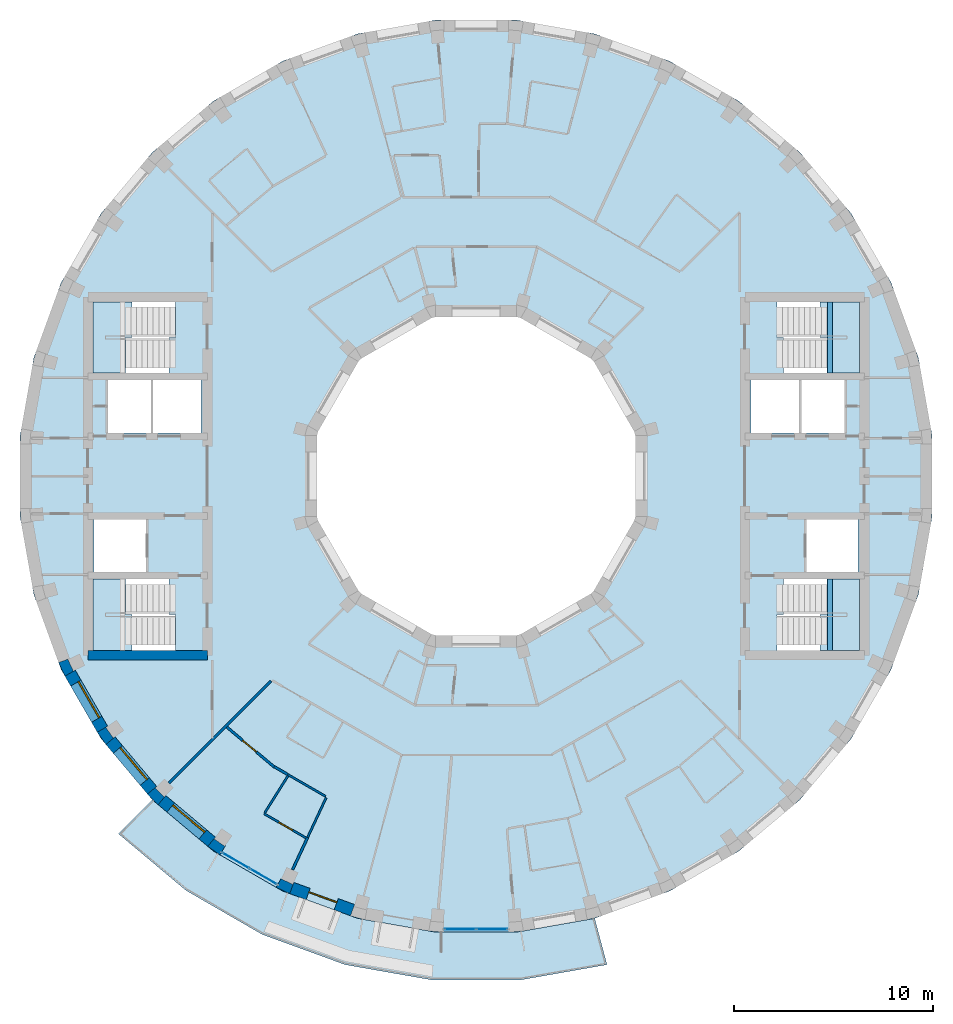
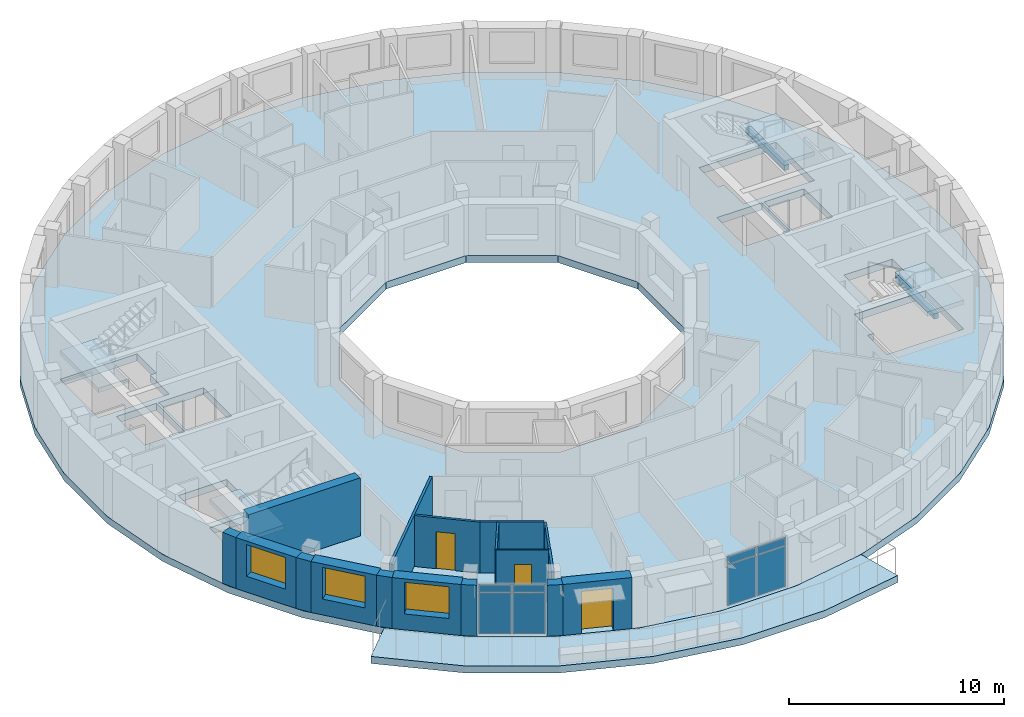
# One storey, part 3 of 12: 18 walls, 8 plates, 6 slabs, 3 doors, 3 windows, 2 beams, 6 openings, 6 elements without a shape of their own.
"""IFC4 building model written with IfcOpenShell, lengths in metres."""

from ifc_helpers import new_model, si_unit, direction, frame, frame_2d, origin, origin_2d, place, context, subcontext, project, spatial, polyline, rectangle, outline, extrude, material, layer, layer_set, material_profile, profile_set, type_object, element, fill, aggregate, save


model = new_model("IFC4")

# Units and contexts
model_context = context("Model", 3, precision=1e-05, world=origin(), true_north=direction((0.0, 1.0)))
body_context = subcontext(model_context, "Body", "Model", "MODEL_VIEW")
ifc_project = project(units=[si_unit("LENGTHUNIT", "METRE"), si_unit("AREAUNIT", "SQUARE_METRE"), si_unit("VOLUMEUNIT", "CUBIC_METRE"), si_unit("PLANEANGLEUNIT", "RADIAN"), si_unit("MASSUNIT", "GRAM", prefix="KILO")], contexts=[model_context])

# Site, building, storey
site_placement = place(None, origin())
site = spatial("IfcSite", under=ifc_project, at=site_placement, CompositionType="ELEMENT")
building_placement = place(site_placement, origin())
building = spatial("IfcBuilding", under=site, at=building_placement, Name="Saqina Gate Tower", CompositionType="ELEMENT")
storey_placement = place(building_placement, frame((0.0, 0.0, 269.300048828125)))
storey = spatial("IfcBuildingStorey", under=building, at=storey_placement, Name="L77", CompositionType="ELEMENT", Elevation=269.300048828125)

# Beams
ifc_material_1 = material(Name="Concrete C40/50", Category="concrete")
ifc_material_profile = material_profile(ifc_material_1, rectangle(XDim=0.25, YDim=0.300048828125, at=origin_2d()), Name="STAIR LANDING BEAM")
ifc_profile_set = profile_set([ifc_material_profile], Name="Concrete C40/50")
beam_type = type_object("IfcBeamType", Name="STAIR LANDING BEAM", PredefinedType="BEAM", material=ifc_profile_set)
for number, where, z_axis, x_axis, name in (
    (1, (17.77001953125, 5.175048828125, 1.25), (0.0, 1.0, 0.0), (-1.0, 0.0, 0.0), "EXIT STAIR 1 LANDING BEAM"),
    (2, (17.77001953125, -8.75, 1.25), (0.0, 1.0, 0.0), (-1.0, 0.0, 0.0), "EXIT STAIR 2 LANDING BEAM"),
):
    element("IfcBeam", number, at=place(storey_placement, frame(where, z_axis=z_axis, x_axis=x_axis)), inside=storey, type_object=beam_type, Name=name, PredefinedType="BEAM", context=body_context, shape_type="SweptSolid", body=[
        extrude(rectangle(XDim=0.25, YDim=0.300048828125, at=origin_2d()), origin(), (0.0, 0.0, 1.0), 3.574951171875),
    ])

# Curtain wall, plates
ifc_material_2 = material(Name="Aluminium glazing", Category="aluminium")
ifc_layer_1 = layer(ifc_material_2, 0.159912109375)
ifc_layer_set_1 = layer_set([ifc_layer_1], Name="CWT-4")
curtain_wall_type = type_object("IfcCurtainWallType", Name="CWT-4", PredefinedType="NOTDEFINED", material=ifc_layer_set_1)
curtain_wall_1_placement = place(storey_placement, origin())
curtain_wall_1 = element("IfcCurtainWall", 3, at=curtain_wall_1_placement, inside=storey, type_object=curtain_wall_type, Name="Terrace lounge glazing facet 24", PredefinedType="NOTDEFINED")
ifc_material_3 = material(Name="Glass", Category="glass")
ifc_layer_2 = layer(ifc_material_3, 0.028076171875)
ifc_layer_set_2 = layer_set([ifc_layer_2], Name="CWT-4P")
plate_type = type_object("IfcPlateType", Name="CWT-4P", PredefinedType="CURTAIN_PANEL", material=ifc_layer_set_2)
plate_1_placement = place(storey_placement, frame((-12.072265625, -19.31396484375, 0.059814453125), z_axis=(0.0, 0.0, 1.0), x_axis=(0.8660355365, -0.499982449212, 0.0)))
plate_1 = element("IfcPlate", 4, at=plate_1_placement, type_object=plate_type, Name="CW4-24 panel 1.1", PredefinedType="CURTAIN_PANEL", context=body_context, shape_type="SweptSolid", body=[
    extrude(rectangle(XDim=1.535888671875, YDim=0.028076171875, at=origin_2d()), origin(), (0.0, 0.0, 1.0), 2.31005859375),
])
plate_2_placement = place(storey_placement, frame((-12.072265625, -19.31396484375, 2.43017578125), z_axis=(0.0, 0.0, 1.0), x_axis=(0.8660355365, -0.499982449212, 0.0)))
plate_2 = element("IfcPlate", 5, at=plate_2_placement, type_object=plate_type, Name="CW4-24 panel 1.2", PredefinedType="CURTAIN_PANEL", context=body_context, shape_type="SweptSolid", body=[
    extrude(rectangle(XDim=1.535888671875, YDim=0.028076171875, at=origin_2d()), origin(), (0.0, 0.0, 1.0), 0.409912109375),
])
plate_3_placement = place(storey_placement, frame((-10.690185546875, -20.11181640625, 0.059814453125), z_axis=(0.0, 0.0, 1.0), x_axis=(0.8660355365, -0.499982449212, 0.0)))
plate_3 = element("IfcPlate", 6, at=plate_3_placement, type_object=plate_type, Name="CW4-24 panel 2.1", PredefinedType="CURTAIN_PANEL", context=body_context, shape_type="SweptSolid", body=[
    extrude(rectangle(XDim=1.535888671875, YDim=0.028076171875, at=origin_2d()), origin(), (0.0, 0.0, 1.0), 2.31005859375),
])
plate_4_placement = place(storey_placement, frame((-10.690185546875, -20.11181640625, 2.43017578125), z_axis=(0.0, 0.0, 1.0), x_axis=(0.8660355365, -0.499982449212, 0.0)))
plate_4 = element("IfcPlate", 7, at=plate_4_placement, type_object=plate_type, Name="CW4-24 panel 2.2", PredefinedType="CURTAIN_PANEL", context=body_context, shape_type="SweptSolid", body=[
    extrude(rectangle(XDim=1.535888671875, YDim=0.028076171875, at=origin_2d()), origin(), (0.0, 0.0, 1.0), 0.409912109375),
])
aggregate(curtain_wall_1, [plate_1, plate_2, plate_3, plate_4])

curtain_wall_2_placement = place(storey_placement, origin())
curtain_wall_2 = element("IfcCurtainWall", 8, at=curtain_wall_2_placement, inside=storey, type_object=curtain_wall_type, Name="Terrace lounge glazing facet 27", PredefinedType="NOTDEFINED")
plate_5_placement = place(storey_placement, frame((-0.7978515625, -22.762451171875, 0.059814453125), z_axis=(0.0, 0.0, 1.0), x_axis=(1.0, 0.0, 0.0)))
plate_5 = element("IfcPlate", 9, at=plate_5_placement, type_object=plate_type, Name="CW4-27 panel 1.1", PredefinedType="CURTAIN_PANEL", context=body_context, shape_type="SweptSolid", body=[
    extrude(rectangle(XDim=1.535888671875, YDim=0.028076171875, at=origin_2d()), origin(), (0.0, 0.0, 1.0), 2.31005859375),
])
plate_6_placement = place(storey_placement, frame((-0.7978515625, -22.762451171875, 2.43017578125), z_axis=(0.0, 0.0, 1.0), x_axis=(1.0, 0.0, 0.0)))
plate_6 = element("IfcPlate", 10, at=plate_6_placement, type_object=plate_type, Name="CW4-27 panel 1.2", PredefinedType="CURTAIN_PANEL", context=body_context, shape_type="SweptSolid", body=[
    extrude(rectangle(XDim=1.535888671875, YDim=0.028076171875, at=origin_2d()), origin(), (0.0, 0.0, 1.0), 0.409912109375),
])
plate_7_placement = place(storey_placement, frame((0.7978515625, -22.762451171875, 0.059814453125), z_axis=(0.0, 0.0, 1.0), x_axis=(1.0, 0.0, 0.0)))
plate_7 = element("IfcPlate", 11, at=plate_7_placement, type_object=plate_type, Name="CW4-27 panel 2.1", PredefinedType="CURTAIN_PANEL", context=body_context, shape_type="SweptSolid", body=[
    extrude(rectangle(XDim=1.535888671875, YDim=0.028076171875, at=origin_2d()), origin(), (0.0, 0.0, 1.0), 2.31005859375),
])
plate_8_placement = place(storey_placement, frame((0.7978515625, -22.762451171875, 2.43017578125), z_axis=(0.0, 0.0, 1.0), x_axis=(1.0, 0.0, 0.0)))
plate_8 = element("IfcPlate", 12, at=plate_8_placement, type_object=plate_type, Name="CW4-27 panel 2.2", PredefinedType="CURTAIN_PANEL", context=body_context, shape_type="SweptSolid", body=[
    extrude(rectangle(XDim=1.535888671875, YDim=0.028076171875, at=origin_2d()), origin(), (0.0, 0.0, 1.0), 0.409912109375),
])
aggregate(curtain_wall_2, [plate_5, plate_6, plate_7, plate_8])

# Stair, slab
ifc_material_4 = material(Name="Concrete C40/50", Category="concrete")
stair_type = type_object("IfcStairType", Name="EXIT STAIR", PredefinedType="HALF_TURN_STAIR", material=ifc_material_4)
stair_1_placement = place(storey_placement, origin())
stair_1 = element("IfcStair", 13, at=stair_1_placement, inside=storey, type_object=stair_type, Name="EXIT STAIR 1", PredefinedType="HALF_TURN_STAIR")
ifc_material_5 = material(Name="Concrete C40/50", Category="concrete")
ifc_layer_3 = layer(ifc_material_5, 0.25)
ifc_layer_set_3 = layer_set([ifc_layer_3], Name="Concrete C40/50")
slab_type_1 = type_object("IfcSlabType", Name="EXIT STAIR LANDING", PredefinedType="LANDING", material=ifc_layer_set_3)
slab_1_placement = place(storey_placement, frame((0.0, 0.0, 1.39990234375)))
slab_1 = element("IfcSlab", 14, at=slab_1_placement, type_object=slab_type_1, Name="EXIT STAIR 1 LANDING 1", PredefinedType="LANDING", context=body_context, shape_type="SweptSolid", body=[
    extrude(outline(polyline([(19.25, 8.75), (19.25, 5.175048828125), (17.614990234375, 5.175048828125), (17.614990234375, 6.96240234375), (17.284423828125, 6.96240234375), (17.284423828125, 8.75), (17.614990234375, 8.75), (17.6201171875, 8.75), (19.25, 8.75)])), origin(), (0.0, 0.0, 1.0), 0.25),
])
aggregate(stair_1, [slab_1])

stair_2_placement = place(storey_placement, origin())
stair_2 = element("IfcStair", 15, at=stair_2_placement, inside=storey, type_object=stair_type, Name="EXIT STAIR 2", PredefinedType="HALF_TURN_STAIR")
slab_2_placement = place(storey_placement, frame((0.0, 0.0, 1.39990234375)))
slab_2 = element("IfcSlab", 16, at=slab_2_placement, type_object=slab_type_1, Name="EXIT STAIR 2 LANDING 1", PredefinedType="LANDING", context=body_context, shape_type="SweptSolid", body=[
    extrude(outline(polyline([(17.284423828125, -8.75), (17.284423828125, -6.96240234375), (17.614990234375, -6.96240234375), (17.614990234375, -5.175048828125), (19.25, -5.175048828125), (19.25, -8.75), (17.6201171875, -8.75), (17.614990234375, -8.75), (17.284423828125, -8.75)])), origin(), (0.0, 0.0, 1.0), 0.25),
])
aggregate(stair_2, [slab_2])

stair_3_placement = place(storey_placement, origin())
stair_3 = element("IfcStair", 17, at=stair_3_placement, inside=storey, type_object=stair_type, Name="EXIT STAIR 3", PredefinedType="HALF_TURN_STAIR")
slab_3_placement = place(storey_placement, frame((0.0, 0.0, 1.39990234375)))
slab_3 = element("IfcSlab", 18, at=slab_3_placement, type_object=slab_type_1, Name="EXIT STAIR 3 LANDING 1", PredefinedType="LANDING", context=body_context, shape_type="SweptSolid", body=[
    extrude(outline(polyline([(-17.614990234375, 5.175048828125), (-19.25, 5.175048828125), (-19.25, 8.75), (-17.6201171875, 8.75), (-17.614990234375, 8.75), (-17.284423828125, 8.75), (-17.284423828125, 6.96240234375), (-17.614990234375, 6.96240234375), (-17.614990234375, 5.175048828125)])), origin(), (0.0, 0.0, 1.0), 0.25),
])
aggregate(stair_3, [slab_3])

stair_4_placement = place(storey_placement, origin())
stair_4 = element("IfcStair", 19, at=stair_4_placement, inside=storey, type_object=stair_type, Name="EXIT STAIR 4", PredefinedType="HALF_TURN_STAIR")
slab_4_placement = place(storey_placement, frame((0.0, 0.0, 1.39990234375)))
slab_4 = element("IfcSlab", 20, at=slab_4_placement, type_object=slab_type_1, Name="EXIT STAIR 4 LANDING 1", PredefinedType="LANDING", context=body_context, shape_type="SweptSolid", body=[
    extrude(outline(polyline([(-17.284423828125, -6.96240234375), (-17.284423828125, -8.75), (-17.614990234375, -8.75), (-17.6201171875, -8.75), (-19.25, -8.75), (-19.25, -5.175048828125), (-17.614990234375, -5.175048828125), (-17.614990234375, -6.96240234375), (-17.284423828125, -6.96240234375)])), origin(), (0.0, 0.0, 1.0), 0.25),
])
aggregate(stair_4, [slab_4])

# Slabs
ifc_material_6 = material(Name="Concrete C40/50", Category="concrete")
ifc_layer_4 = layer(ifc_material_6, 0.39990234375)
ifc_layer_set_4 = layer_set([ifc_layer_4], Name="Concrete C40/50")
slab_type_2 = type_object("IfcSlabType", Name="STR-POST-TENSIONED FLAT PLATE FLOOR-400", PredefinedType="FLOOR", material=ifc_layer_set_4)
slab_5_placement = place(storey_placement, frame((0.0, 0.0, -0.400146484375)))
element("IfcSlab", 21, at=slab_5_placement, inside=storey, type_object=slab_type_2, Name="L77-SLB01", PredefinedType="FLOOR", context=body_context, shape_type="SweptSolid", body=[
    extrude(outline(polyline([(22.21630859375, -5.952880859375), (22.91259765625, -2.004638671875), (22.91259765625, 2.004638671875), (22.21630859375, 5.952880859375), (20.844970703125, 9.72021484375), (18.840576171875, 13.192138671875), (16.263427734375, 16.263427734375), (13.192138671875, 18.840576171875), (9.72021484375, 20.844970703125), (5.952880859375, 22.21630859375), (2.004638671875, 22.91259765625), (-2.004638671875, 22.91259765625), (-5.952880859375, 22.21630859375), (-9.72021484375, 20.844970703125), (-13.192138671875, 18.840576171875), (-16.263427734375, 16.263427734375), (-18.840576171875, 13.192138671875), (-20.844970703125, 9.72021484375), (-22.21630859375, 5.952880859375), (-22.91259765625, 2.004638671875), (-22.91259765625, -2.004638671875), (-22.21630859375, -5.952880859375), (-20.844970703125, -9.72021484375), (-18.840576171875, -13.192138671875), (-16.263427734375, -16.263427734375), (-13.192138671875, -18.840576171875), (-9.72021484375, -20.844970703125), (-5.952880859375, -22.21630859375), (-2.004638671875, -22.91259765625), (2.004638671875, -22.91259765625), (5.952880859375, -22.21630859375), (9.72021484375, -20.844970703125), (13.192138671875, -18.840576171875), (16.263427734375, -16.263427734375), (18.840576171875, -13.192138671875), (20.844970703125, -9.72021484375), (22.21630859375, -5.952880859375)]), holes=[polyline([(2.1435546875, 8.0), (5.8564453125, 5.8564453125), (8.0, 2.1435546875), (8.0, -2.1435546875), (5.8564453125, -5.8564453125), (2.1435546875, -8.0), (-2.1435546875, -8.0), (-5.8564453125, -5.8564453125), (-8.0, -2.1435546875), (-8.0, 2.1435546875), (-5.8564453125, 5.8564453125), (-2.1435546875, 8.0), (2.1435546875, 8.0)]), polyline([(-15.10498046875, -8.75), (-19.25, -8.75), (-19.25, -6.96240234375), (-19.25, -5.175048828125), (-15.435546875, -5.175048828125), (-15.435546875, -6.96240234375), (-15.10498046875, -6.96240234375), (-15.10498046875, -8.75)]), polyline([(-16.590087890625, -2.175048828125), (-16.590087890625, -4.824951171875), (-19.18994140625, -4.824951171875), (-19.18994140625, -2.175048828125), (-16.590087890625, -2.175048828125)]), polyline([(-16.340087890625, 4.824951171875), (-16.340087890625, 2.175048828125), (-18.5, 2.175048828125), (-18.5, 4.824951171875), (-16.340087890625, 4.824951171875)]), polyline([(-13.81005859375, 4.824951171875), (-13.81005859375, 2.175048828125), (-16.219970703125, 2.175048828125), (-16.219970703125, 4.824951171875), (-13.81005859375, 4.824951171875)]), polyline([(-19.25, 6.96240234375), (-19.25, 8.75), (-15.10498046875, 8.75), (-15.10498046875, 6.96240234375), (-15.435546875, 6.96240234375), (-15.435546875, 5.175048828125), (-19.25, 5.175048828125), (-19.25, 6.96240234375)]), polyline([(15.10498046875, -8.75), (15.10498046875, -6.96240234375), (15.435546875, -6.96240234375), (15.435546875, -5.175048828125), (19.25, -5.175048828125), (19.25, -6.96240234375), (19.25, -8.75), (15.10498046875, -8.75)]), polyline([(19.18994140625, -2.175048828125), (19.18994140625, -4.824951171875), (16.590087890625, -4.824951171875), (16.590087890625, -2.175048828125), (19.18994140625, -2.175048828125)]), polyline([(16.219970703125, 4.824951171875), (16.219970703125, 2.175048828125), (13.81005859375, 2.175048828125), (13.81005859375, 4.824951171875), (16.219970703125, 4.824951171875)]), polyline([(18.5, 4.824951171875), (18.5, 2.175048828125), (16.340087890625, 2.175048828125), (16.340087890625, 4.824951171875), (18.5, 4.824951171875)]), polyline([(15.435546875, 6.96240234375), (15.10498046875, 6.96240234375), (15.10498046875, 8.75), (19.25, 8.75), (19.25, 6.96240234375), (19.25, 5.175048828125), (15.435546875, 5.175048828125), (15.435546875, 6.96240234375)])]), origin(), (0.0, 0.0, 1.0), 0.400146484375),
])
ifc_material_7 = material(Name="Concrete C40/50", Category="concrete")
ifc_layer_5 = layer(ifc_material_7, 0.39990234375)
ifc_layer_set_5 = layer_set([ifc_layer_5], Name="Concrete C40/50")
slab_type_3 = type_object("IfcSlabType", Name="STR-POST-TENSIONED FLAT PLATE TERRACE-400", PredefinedType="FLOOR", material=ifc_layer_set_5)
slab_6_placement = place(storey_placement, frame((0.0, 0.0, -0.400146484375)))
element("IfcSlab", 22, at=slab_6_placement, inside=storey, type_object=slab_type_3, Name="L77-TRS01", PredefinedType="FLOOR", context=body_context, shape_type="SweptSolid", body=[
    extrude(outline(polyline([(-16.263427734375, -16.263427734375), (-13.192138671875, -18.840576171875), (-9.72021484375, -20.844970703125), (-5.952880859375, -22.21630859375), (-2.004638671875, -22.91259765625), (2.004638671875, -22.91259765625), (5.952880859375, -22.21630859375), (6.576416015625, -24.54345703125), (2.214599609375, -25.3125), (-2.214599609375, -25.3125), (-6.576416015625, -24.54345703125), (-10.73828125, -23.028564453125), (-14.57421875, -20.81396484375), (-17.967041015625, -17.967041015625), (-16.263427734375, -16.263427734375)])), origin(), (0.0, 0.0, 1.0), 0.400146484375),
])

# Walls
ifc_material_8 = material(Name="Brick masonry (buff)", Category="masonry")
wall_type_1 = type_object("IfcWallType", Name="BRICK PIER COPING BUFF", PredefinedType="SOLIDWALL", material=ifc_material_8)
wall_1_placement = place(storey_placement, origin())
element("IfcWall", 23, at=wall_1_placement, inside=storey, type_object=wall_type_1, Name="Pier cap L77 column 21", PredefinedType="SOLIDWALL", context=body_context, shape_type="SweptSolid", body=[
    extrude(outline(polyline([(-20.974609375, -9.3642578125), (-20.65576171875, -10.048095703125), (-20.135986328125, -9.748291015625), (-20.23193359375, -9.79296875), (-20.506591796875, -9.203857421875), (-20.410888671875, -9.1591796875), (-20.974609375, -9.3642578125)])), origin(), (0.0, 0.0, 1.0), 2.89990234375),
])
wall_2_placement = place(storey_placement, origin())
element("IfcWall", 24, at=wall_2_placement, inside=storey, type_object=wall_type_1, Name="Pier cap L77 column 22", PredefinedType="SOLIDWALL", context=body_context, shape_type="SweptSolid", body=[
    extrude(outline(polyline([(-19.02978515625, -12.8642578125), (-18.59716796875, -13.482421875), (-18.137451171875, -13.0966796875), (-18.22412109375, -13.157470703125), (-18.596923828125, -12.625), (-18.51025390625, -12.564208984375), (-19.02978515625, -12.8642578125)])), origin(), (0.0, 0.0, 1.0), 2.89990234375),
])
wall_3_placement = place(storey_placement, origin())
element("IfcWall", 25, at=wall_3_placement, inside=storey, type_object=wall_type_1, Name="Pier cap L77 column 23", PredefinedType="SOLIDWALL", context=body_context, shape_type="SweptSolid", body=[
    extrude(outline(polyline([(-15.973388671875, -16.5068359375), (-15.587646484375, -16.04736328125), (-15.662353515625, -16.1220703125), (-16.1220703125, -15.662353515625), (-16.04736328125, -15.587646484375), (-16.5068359375, -15.973388671875), (-15.973388671875, -16.5068359375)])), origin(), (0.0, 0.0, 1.0), 2.89990234375),
])
wall_4_placement = place(storey_placement, origin())
element("IfcWall", 26, at=wall_4_placement, inside=storey, type_object=wall_type_1, Name="Pier cap L77 column 24", PredefinedType="SOLIDWALL", context=body_context, shape_type="SweptSolid", body=[
    extrude(outline(polyline([(-12.8642578125, -19.02978515625), (-12.564208984375, -18.51025390625), (-12.625, -18.596923828125), (-13.157470703125, -18.22412109375), (-13.0966796875, -18.137451171875), (-13.482421875, -18.59716796875), (-12.8642578125, -19.02978515625)])), origin(), (0.0, 0.0, 1.0), 2.89990234375),
])
wall_5_placement = place(storey_placement, origin())
element("IfcWall", 27, at=wall_5_placement, inside=storey, type_object=wall_type_1, Name="Pier cap L77 column 25", PredefinedType="SOLIDWALL", context=body_context, shape_type="SweptSolid", body=[
    extrude(outline(polyline([(-10.048095703125, -20.65576171875), (-9.3642578125, -20.974609375), (-9.1591796875, -20.410888671875), (-9.203857421875, -20.506591796875), (-9.79296875, -20.23193359375), (-9.748291015625, -20.135986328125), (-10.048095703125, -20.65576171875)])), origin(), (0.0, 0.0, 1.0), 2.89990234375),
])

# Wall, opening, window
ifc_material_9 = material(Name="Brick masonry (buff)", Category="masonry")
ifc_layer_6 = layer(ifc_material_9, 0.60009765625)
ifc_layer_set_6 = layer_set([ifc_layer_6], Name="FW-BRICK-BUFF")
wall_type_2 = type_object("IfcWallType", Name="FW-BRICK-BUFF", PredefinedType="SOLIDWALL", material=ifc_layer_set_6)
wall_6_placement = place(storey_placement, frame((-20.39599609375, -9.898193359375, 0.0), z_axis=(0.0, 0.0, 1.0), x_axis=(0.500014901547, -0.866016800201, 0.0)))
wall_6 = element("IfcWall", 28, at=wall_6_placement, inside=storey, type_object=wall_type_2, Name="Facade wall L77 facet 21", PredefinedType="SOLIDWALL", context=body_context, shape_type="SweptSolid", body=[
    extrude(rectangle(XDim=3.251953125, YDim=0.60009765625, at=frame_2d((1.6259765625, 0.0))), origin(), (0.0, 0.0, 1.0), 2.89990234375),
])
opening_1_placement = place(wall_6_placement, frame((0.57568359375, 0.0, 0.89990234375)))
opening_1 = element("IfcOpeningElement", 29, at=opening_1_placement, cuts=wall_6, Name="Opening G23-W14", PredefinedType="OPENING", context=body_context, shape_type="SweptSolid", body=[
    extrude(rectangle(XDim=2.10009765625, YDim=1.800048828125, at=frame_2d((1.050048828125, 0.89990234375))), frame((0.0, 0.31201171875, 0.0), z_axis=(0.0, -1.0, 0.0), x_axis=(1.0, 0.0, 0.0)), (0.0, 0.0, 1.0), 0.6240234375),
])
ifc_material_10 = material(Name="Aluminium glazing", Category="aluminium")
window_type = type_object("IfcWindowType", Name="WN-D", PartitioningType="SINGLE_PANEL", PredefinedType="WINDOW", material=ifc_material_10)
window_1_placement = place(opening_1_placement, origin())
window_1 = element("IfcWindow", 30, at=window_1_placement, inside=storey, type_object=window_type, Name="Window L77 facet 21", OverallHeight=1.800048828125, OverallWidth=2.10009765625, PartitioningType="SINGLE_PANEL", PredefinedType="WINDOW", context=body_context, shape_type="SweptSolid", body=[
    extrude(rectangle(XDim=2.10009765625, YDim=1.800048828125, at=frame_2d((1.050048828125, 0.89990234375))), frame((0.0, 0.179931640625, 0.0), z_axis=(0.0, -1.0, 0.0), x_axis=(1.0, 0.0, 0.0)), (0.0, 0.0, 1.0), 0.06005859375),
])
fill(opening_1, window_1)

wall_7_placement = place(storey_placement, frame((-18.3671875, -13.28955078125, 0.0), z_axis=(0.0, 0.0, 1.0), x_axis=(0.64277291405, -0.766056773982, 0.0)))
wall_7 = element("IfcWall", 31, at=wall_7_placement, inside=storey, type_object=wall_type_2, Name="Facade wall L77 facet 22", PredefinedType="SOLIDWALL", context=body_context, shape_type="SweptSolid", body=[
    extrude(rectangle(XDim=3.251708984375, YDim=0.60009765625, at=frame_2d((1.6259765625, 0.0))), origin(), (0.0, 0.0, 1.0), 2.89990234375),
])
opening_2_placement = place(wall_7_placement, frame((0.57568359375, 0.0, 0.89990234375)))
opening_2 = element("IfcOpeningElement", 32, at=opening_2_placement, cuts=wall_7, Name="Opening G23-W15", PredefinedType="OPENING", context=body_context, shape_type="SweptSolid", body=[
    extrude(rectangle(XDim=2.10009765625, YDim=1.800048828125, at=frame_2d((1.050048828125, 0.89990234375))), frame((0.0, 0.31201171875, 0.0), z_axis=(0.0, -1.0, 0.0), x_axis=(1.0, 0.0, 0.0)), (0.0, 0.0, 1.0), 0.6240234375),
])
window_2_placement = place(opening_2_placement, origin())
window_2 = element("IfcWindow", 33, at=window_2_placement, inside=storey, type_object=window_type, Name="Window L77 facet 22", OverallHeight=1.800048828125, OverallWidth=2.10009765625, PartitioningType="SINGLE_PANEL", PredefinedType="WINDOW", context=body_context, shape_type="SweptSolid", body=[
    extrude(rectangle(XDim=2.10009765625, YDim=1.800048828125, at=frame_2d((1.050048828125, 0.89990234375))), frame((0.0, 0.179931640625, 0.0), z_axis=(0.0, -1.0, 0.0), x_axis=(1.0, 0.0, 0.0)), (0.0, 0.0, 1.0), 0.06005859375),
])
fill(opening_2, window_2)

wall_8_placement = place(storey_placement, frame((-15.780517578125, -16.277099609375, 0.0), z_axis=(0.0, 0.0, 1.0), x_axis=(0.766056773982, -0.64277291405, 0.0)))
wall_8 = element("IfcWall", 34, at=wall_8_placement, inside=storey, type_object=wall_type_2, Name="Facade wall L77 facet 23", PredefinedType="SOLIDWALL", context=body_context, shape_type="SweptSolid", body=[
    extrude(rectangle(XDim=3.251708984375, YDim=0.60009765625, at=frame_2d((1.6259765625, 0.0))), origin(), (0.0, 0.0, 1.0), 2.89990234375),
])
opening_3_placement = place(wall_8_placement, frame((0.57568359375, 0.0, 0.89990234375)))
opening_3 = element("IfcOpeningElement", 35, at=opening_3_placement, cuts=wall_8, Name="Opening G23-W16", PredefinedType="OPENING", context=body_context, shape_type="SweptSolid", body=[
    extrude(rectangle(XDim=2.10009765625, YDim=1.800048828125, at=frame_2d((1.050048828125, 0.89990234375))), frame((0.0, 0.31201171875, 0.0), z_axis=(0.0, -1.0, 0.0), x_axis=(1.0, 0.0, 0.0)), (0.0, 0.0, 1.0), 0.6240234375),
])
window_3_placement = place(opening_3_placement, origin())
window_3 = element("IfcWindow", 36, at=window_3_placement, inside=storey, type_object=window_type, Name="Window L77 facet 23", OverallHeight=1.800048828125, OverallWidth=2.10009765625, PartitioningType="SINGLE_PANEL", PredefinedType="WINDOW", context=body_context, shape_type="SweptSolid", body=[
    extrude(rectangle(XDim=2.10009765625, YDim=1.800048828125, at=frame_2d((1.050048828125, 0.89990234375))), frame((0.0, 0.179931640625, 0.0), z_axis=(0.0, -1.0, 0.0), x_axis=(1.0, 0.0, 0.0)), (0.0, 0.0, 1.0), 0.06005859375),
])
fill(opening_3, window_3)

# Wall, opening, door
wall_9_placement = place(storey_placement, frame((-9.26171875, -20.692626953125, 0.0), z_axis=(0.0, 0.0, 1.0), x_axis=(0.939679383794, -0.342056509473, 0.0)))
wall_9 = element("IfcWall", 37, at=wall_9_placement, inside=storey, type_object=wall_type_2, Name="Facade wall L77 facet 25", PredefinedType="SOLIDWALL", context=body_context, shape_type="SweptSolid", body=[
    extrude(rectangle(XDim=3.251708984375, YDim=0.60009765625, at=frame_2d((1.6259765625, 0.0))), origin(), (0.0, 0.0, 1.0), 2.89990234375),
])
opening_4_placement = place(wall_9_placement, frame((0.875732421875, 0.0, 0.0)))
opening_4 = element("IfcOpeningElement", 38, at=opening_4_placement, cuts=wall_9, Name="Opening G23-D80", PredefinedType="OPENING", context=body_context, shape_type="SweptSolid", body=[
    extrude(rectangle(XDim=1.5, YDim=2.39990234375, at=frame_2d((0.75, 1.199951171875))), frame((0.0, 0.31201171875, 0.0), z_axis=(0.0, -1.0, 0.0), x_axis=(1.0, 0.0, 0.0)), (0.0, 0.0, 1.0), 0.6240234375),
])
ifc_material_11 = material(Name="Aluminium glazing", Category="aluminium")
door_type_1 = type_object("IfcDoorType", Name="GD-D", OperationType="DOUBLE_DOOR_SINGLE_SWING", PredefinedType="DOOR", material=ifc_material_11)
door_1_placement = place(opening_4_placement, frame((1.5, 0.0, 0.0), z_axis=(0.0, 0.0, 1.0), x_axis=(-1.0, 0.0, 0.0)))
door_1 = element("IfcDoor", 39, at=door_1_placement, inside=storey, type_object=door_type_1, Name="Terrace door L77 facet 25", OperationType="DOUBLE_DOOR_SINGLE_SWING", OverallHeight=2.39990234375, OverallWidth=1.5, PredefinedType="DOOR", context=body_context, shape_type="SweptSolid", body=[
    extrude(rectangle(XDim=1.5, YDim=2.39990234375, at=frame_2d((0.75, 1.199951171875))), frame((0.0, -0.0751953125, 0.0), z_axis=(0.0, -1.0, 0.0), x_axis=(1.0, 0.0, 0.0)), (0.0, 0.0, 1.0), 0.050048828125),
])
fill(opening_4, door_1)

ifc_material_12 = material(Name="Gypsum board on steel studs, 100 mm", Category="steel")
ifc_layer_7 = layer(ifc_material_12, 0.10009765625)
ifc_layer_set_7 = layer_set([ifc_layer_7], Name="PARTITION 100")
wall_type_3 = type_object("IfcWallType", Name="PARTITION 100", PredefinedType="PARTITIONING", material=ifc_layer_set_7)
wall_10_placement = place(storey_placement, frame((-10.64697265625, -16.9619140625, 0.0), z_axis=(0.0, 0.0, 1.0), x_axis=(0.866072215893, -0.499918910283, 0.0)))
wall_10 = element("IfcWall", 40, at=wall_10_placement, inside=storey, type_object=wall_type_3, Name="PARTITION PW3-18", PredefinedType="PARTITIONING", context=body_context, shape_type="SweptSolid", body=[
    extrude(rectangle(XDim=2.4384765625, YDim=0.10009765625, at=frame_2d((1.21923828125, 0.0))), origin(), (0.0, 0.0, 1.0), 2.89990234375),
])
opening_5_placement = place(wall_10_placement, frame((0.845703125, 0.0, 0.0)))
opening_5 = element("IfcOpeningElement", 41, at=opening_5_placement, cuts=wall_10, Name="Opening G23-D26", PredefinedType="OPENING", context=body_context, shape_type="SweptSolid", body=[
    extrude(rectangle(XDim=0.800048828125, YDim=2.10009765625, at=frame_2d((0.39990234375, 1.050048828125))), frame((0.0, 0.06201171875, 0.0), z_axis=(0.0, -1.0, 0.0), x_axis=(1.0, 0.0, 0.0)), (0.0, 0.0, 1.0), 0.1240234375),
])
ifc_material_13 = material(Name="Timber door leaf, 800 mm", Category="wood")
door_type_2 = type_object("IfcDoorType", Name="DOOR 800 TIMBER", OperationType="SINGLE_SWING_LEFT", PredefinedType="DOOR", material=ifc_material_13)
door_2_placement = place(opening_5_placement, frame((0.800048828125, 0.0, 0.0), z_axis=(0.0, 0.0, 1.0), x_axis=(-1.0, 0.0, 0.0)))
door_2 = element("IfcDoor", 42, at=door_2_placement, inside=storey, type_object=door_type_2, Name="DOOR G23-D26", OperationType="SINGLE_SWING_LEFT", OverallHeight=2.10009765625, OverallWidth=0.800048828125, PredefinedType="DOOR", context=body_context, shape_type="SweptSolid", body=[
    extrude(rectangle(XDim=0.800048828125, YDim=2.10009765625, at=frame_2d((0.39990234375, 1.050048828125))), frame((0.0, 0.02490234375, 0.0), z_axis=(0.0, -1.0, 0.0), x_axis=(1.0, 0.0, 0.0)), (0.0, 0.0, 1.0), 0.050048828125),
])
fill(opening_5, door_2)

# Walls
wall_11_placement = place(storey_placement, frame((-9.46728515625, -14.986328125, 0.0), z_axis=(0.0, 0.0, 1.0), x_axis=(0.866006764117, -0.500032283461, 0.0)))
element("IfcWall", 43, at=wall_11_placement, inside=storey, type_object=wall_type_3, Name="PARTITION PW3-19", PredefinedType="PARTITIONING", context=body_context, shape_type="SweptSolid", body=[
    extrude(rectangle(XDim=2.205322265625, YDim=0.10009765625, at=frame_2d((1.1025390625, 0.0))), origin(), (0.0, 0.0, 1.0), 2.89990234375),
])
wall_12_placement = place(storey_placement, frame((-10.619384765625, -16.91796875, 0.0), z_axis=(0.0, 0.0, 1.0), x_axis=(0.531622942945, 0.84698113706, 0.0)))
element("IfcWall", 44, at=wall_12_placement, inside=storey, type_object=wall_type_3, Name="PARTITION PW3-44", PredefinedType="PARTITIONING", context=body_context, shape_type="SweptSolid", body=[
    extrude(rectangle(XDim=2.187744140625, YDim=0.10009765625, at=frame_2d((1.09375, 0.0))), origin(), (0.0, 0.0, 1.0), 2.89990234375),
])
wall_13_placement = place(storey_placement, frame((-8.463623046875, -18.150390625, 0.0), z_axis=(0.0, 0.0, 1.0), x_axis=(0.422599526454, 0.906316523208, 0.0)))
element("IfcWall", 45, at=wall_13_placement, inside=storey, type_object=wall_type_3, Name="PARTITION PW3-46", PredefinedType="PARTITIONING", context=body_context, shape_type="SweptSolid", body=[
    extrude(rectangle(XDim=2.197021484375, YDim=0.10009765625, at=frame_2d((1.0986328125, 0.0))), origin(), (0.0, 0.0, 1.0), 2.89990234375),
])

# Wall, opening, door
ifc_material_14 = material(Name="Gypsum board on steel studs, 125 mm, fire rated", Category="steel")
ifc_layer_8 = layer(ifc_material_14, 0.125)
ifc_layer_set_8 = layer_set([ifc_layer_8], Name="PARTITION EI 30 125")
wall_type_4 = type_object("IfcWallType", Name="PARTITION EI 30 125", PredefinedType="PARTITIONING", material=ifc_layer_set_8)
wall_14_placement = place(storey_placement, frame((-12.520751953125, -12.608154296875, 0.0), z_axis=(0.0, 0.0, 1.0), x_axis=(0.764770295867, -0.644303030071, 0.0)))
wall_14 = element("IfcWall", 46, at=wall_14_placement, inside=storey, type_object=wall_type_4, Name="PARTITION PW1-11", PredefinedType="PARTITIONING", context=body_context, shape_type="SweptSolid", body=[
    extrude(rectangle(XDim=3.100830078125, YDim=0.125, at=frame_2d((1.55029296875, 0.0))), origin(), (0.0, 0.0, 1.0), 2.89990234375),
])
opening_6_placement = place(wall_14_placement, frame((1.035888671875, 0.0, 0.0)))
opening_6 = element("IfcOpeningElement", 47, at=opening_6_placement, cuts=wall_14, Name="Opening G23-D23", PredefinedType="OPENING", context=body_context, shape_type="SweptSolid", body=[
    extrude(rectangle(XDim=0.89990234375, YDim=2.10009765625, at=frame_2d((0.449951171875, 1.050048828125))), frame((0.0, 0.074462890625, 0.0), z_axis=(0.0, -1.0, 0.0), x_axis=(1.0, 0.0, 0.0)), (0.0, 0.0, 1.0), 0.14892578125),
])
ifc_material_15 = material(Name="Fire door leaf EI 30, 900 mm")
door_type_3 = type_object("IfcDoorType", Name="DOOR 900 EI 30", OperationType="SINGLE_SWING_LEFT", PredefinedType="DOOR", material=ifc_material_15)
door_3_placement = place(opening_6_placement, origin())
door_3 = element("IfcDoor", 48, at=door_3_placement, inside=storey, type_object=door_type_3, Name="DOOR G23-D23", OperationType="SINGLE_SWING_LEFT", OverallHeight=2.10009765625, OverallWidth=0.89990234375, PredefinedType="DOOR", context=body_context, shape_type="SweptSolid", body=[
    extrude(rectangle(XDim=0.89990234375, YDim=2.10009765625, at=frame_2d((0.449951171875, 1.050048828125))), frame((0.0, 0.02490234375, 0.0), z_axis=(0.0, -1.0, 0.0), x_axis=(1.0, 0.0, 0.0)), (0.0, 0.0, 1.0), 0.050048828125),
])
fill(opening_6, door_3)

# Walls
wall_15_placement = place(storey_placement, frame((-10.143798828125, -14.59619140625, 0.0), z_axis=(0.0, 0.0, 1.0), x_axis=(0.866487258755, -0.499199189117, 0.0)))
element("IfcWall", 49, at=wall_15_placement, inside=storey, type_object=wall_type_4, Name="PARTITION PW1-12", PredefinedType="PARTITIONING", context=body_context, shape_type="SweptSolid", body=[
    extrude(rectangle(XDim=0.781005859375, YDim=0.125, at=frame_2d((0.390625, 0.0))), origin(), (0.0, 0.0, 1.0), 2.89990234375),
])
wall_16_placement = place(storey_placement, frame((-15.425537109375, -15.425537109375, 0.0), z_axis=(0.0, 0.0, 1.0), x_axis=(0.707106781187, 0.707106781187, 0.0)))
element("IfcWall", 50, at=wall_16_placement, inside=storey, type_object=wall_type_4, Name="PARTITION PW1-32", PredefinedType="PARTITIONING", context=body_context, shape_type="SweptSolid", body=[
    extrude(rectangle(XDim=7.248291015625, YDim=0.125, at=frame_2d((3.6240234375, 0.0))), origin(), (0.0, 0.0, 1.0), 2.89990234375),
])
wall_17_placement = place(storey_placement, frame((-9.219970703125, -19.77099609375, 0.0), z_axis=(0.0, 0.0, 1.0), x_axis=(0.423191849194, 0.906040097775, 0.0)))
element("IfcWall", 51, at=wall_17_placement, inside=storey, type_object=wall_type_4, Name="PARTITION PW1-36", PredefinedType="PARTITIONING", context=body_context, shape_type="SweptSolid", body=[
    extrude(rectangle(XDim=1.788330078125, YDim=0.125, at=frame_2d((0.89404296875, 0.0))), origin(), (0.0, 0.0, 1.0), 2.89990234375),
])
ifc_material_16 = material(Name="Concrete C60/75", Category="concrete")
ifc_layer_9 = layer(ifc_material_16, 0.5)
ifc_layer_set_9 = layer_set([ifc_layer_9], Name="Concrete C60/75")
wall_type_5 = type_object("IfcWallType", Name="STR-CORE WALL-D-O", PredefinedType="SHEAR", material=ifc_layer_set_9)
wall_18_placement = place(storey_placement, frame((-13.5, -9.0, 0.0), z_axis=(0.0, 0.0, 1.0), x_axis=(-1.0, 0.0, 0.0)))
element("IfcWall", 52, at=wall_18_placement, inside=storey, type_object=wall_type_5, Name="CORE WALL L77 W-SE", PredefinedType="SHEAR", context=body_context, shape_type="SweptSolid", body=[
    extrude(rectangle(XDim=6.0, YDim=0.5, at=frame_2d((3.0, 0.0))), origin(), (0.0, 0.0, 1.0), 3.300048828125),
])

save(model, "model.ifc")
